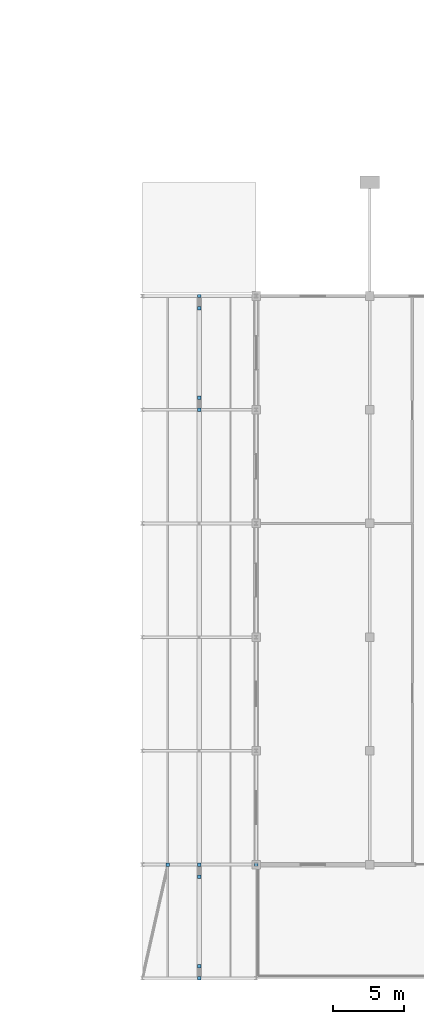
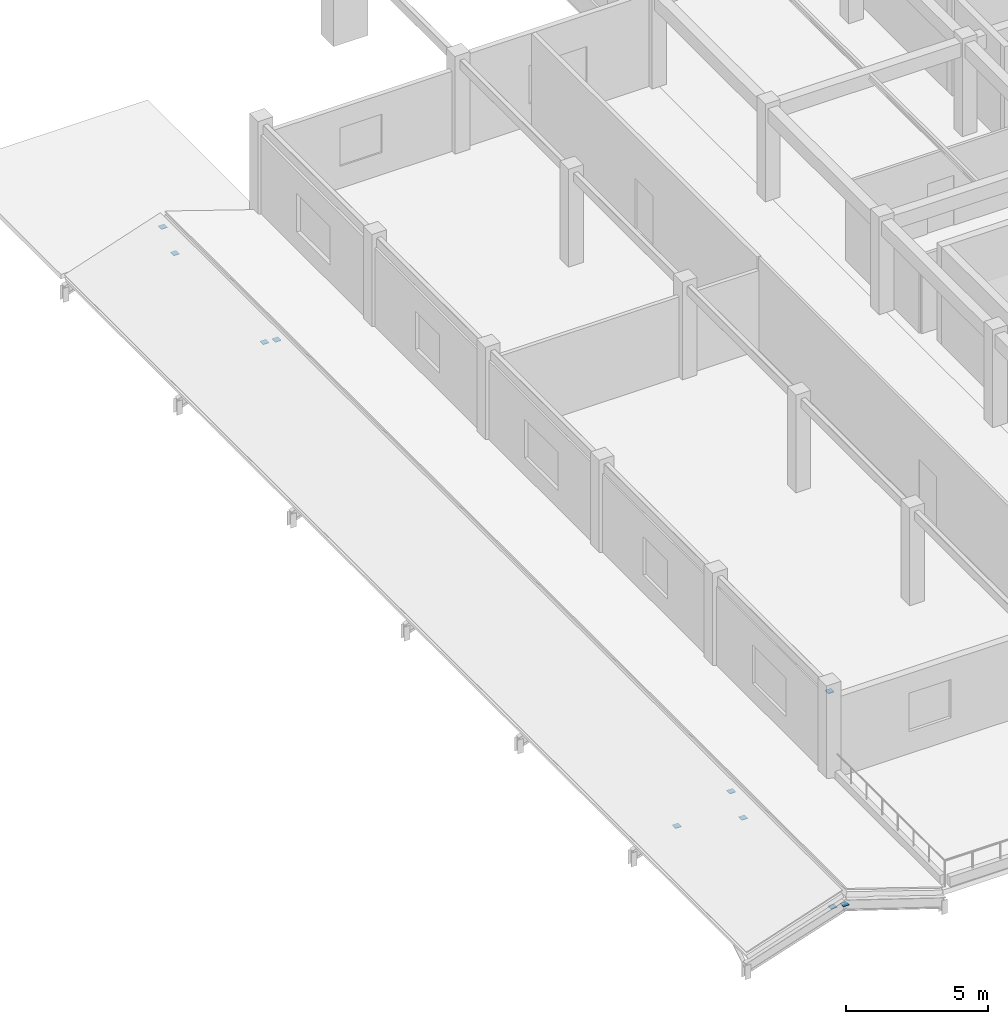
# One storey, part 20 of 27: 10 discrete accessories.
"""IFC4 building model written with IfcOpenShell, lengths in metres."""

from ifc_helpers import new_model, si_unit, direction, frame, origin, origin_2d, place, context, subcontext, project, spatial, rectangle, extrude, material, type_object, element, save


model = new_model("IFC4")

# Units and contexts
model_context = context("Model", 3, precision=1e-05, world=origin(), true_north=direction((0.0, 1.0)))
body_context = subcontext(model_context, "Body", "Model", "MODEL_VIEW")
ifc_project = project(units=[si_unit("LENGTHUNIT", "METRE"), si_unit("AREAUNIT", "SQUARE_METRE"), si_unit("VOLUMEUNIT", "CUBIC_METRE"), si_unit("PLANEANGLEUNIT", "RADIAN"), si_unit("MASSUNIT", "GRAM", prefix="KILO")], contexts=[model_context])

# Site, building, storey
site_placement = place(None, origin())
site = spatial("IfcSite", under=ifc_project, at=site_placement, CompositionType="ELEMENT")
building_placement = place(site_placement, origin())
building = spatial("IfcBuilding", under=site, at=building_placement, Name="Kenh Van Central Station", CompositionType="ELEMENT")
storey_placement = place(building_placement, frame((0.0, 0.0, 19.199951171875)))
storey = spatial("IfcBuildingStorey", under=building, at=storey_placement, Name="L04", CompositionType="ELEMENT", Elevation=19.199951171875)

# Discrete accessories
ifc_material = material(Name="Structural steel S355JR", Category="steel")
discrete_accessory_type = type_object("IfcDiscreteAccessoryType", Name="ACC-END-NODE", PredefinedType="BRACKET", material=ifc_material)
for number, where, z_axis, x_axis, name in (
    (1, (129.800048828125, 16.0, 0.0693359375), (0.0, 0.0, 1.0), (1.0, 0.0, 0.0), "L04 brace end connection node plate 0398"),
    (2, (132.0, 8.85009765625, 0.164306640625), (0.0, 0.0, 1.0), (1.0, 0.0, 0.0), "L04 brace end connection node plate 0399"),
    (3, (132.0, 55.14990234375, 0.164306640625), (0.0, 0.0, 1.0), (1.0, 0.0, 0.0), "L04 brace end connection node plate 0400"),
    (4, (132.0, 8.0, 0.7841796875), (0.0, 0.0, 1.0), (1.0, 0.0, 0.0), "L04 brace end connection node plate 0401"),
    (5, (132.0, 15.14990234375, 0.164306640625), (0.0, 0.0, 1.0), (1.0, 0.0, 0.0), "L04 brace end connection node plate 0402"),
    (6, (132.0, 16.0, 0.7841796875), (0.0, 0.0, 1.0), (1.0, 0.0, 0.0), "L04 brace end connection node plate 0403"),
    (7, (132.0, 48.85009765625, 0.164306640625), (0.0, 0.0, 1.0), (1.0, 0.0, 0.0), "L04 brace end connection node plate 0404"),
    (8, (132.0, 48.0, 0.7841796875), (0.0, 0.0, 1.0), (1.0, 0.0, 0.0), "L04 brace end connection node plate 0405"),
    (9, (132.0, 56.0, 0.7841796875), (0.0, 0.0, 1.0), (1.0, 0.0, 0.0), "L04 brace end connection node plate 0406"),
    (10, (136.0, 16.0, 3.684326171875), (0.0, 0.0, 1.0), (1.0, 0.0, 0.0), "L04 brace end connection node plate 0407"),
):
    element("IfcDiscreteAccessory", number, at=place(storey_placement, frame(where, z_axis=z_axis, x_axis=x_axis)), inside=storey, type_object=discrete_accessory_type, Name=name, PredefinedType="BRACKET", context=body_context, shape_type="SweptSolid", body=[
        extrude(rectangle(XDim=0.239990234375, YDim=0.239990234375, at=origin_2d()), origin(), (0.0, 0.0, 1.0), 0.02490234375),
    ])

save(model, "model.ifc")
